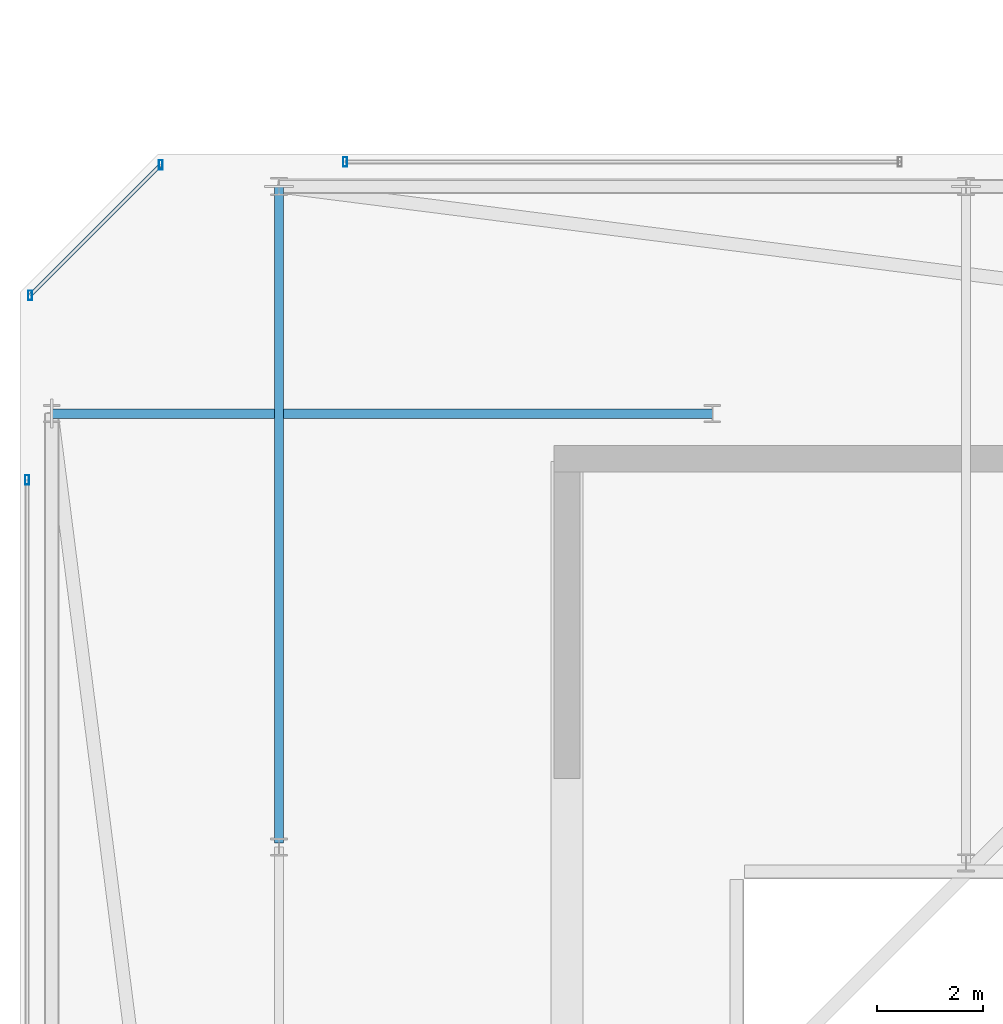
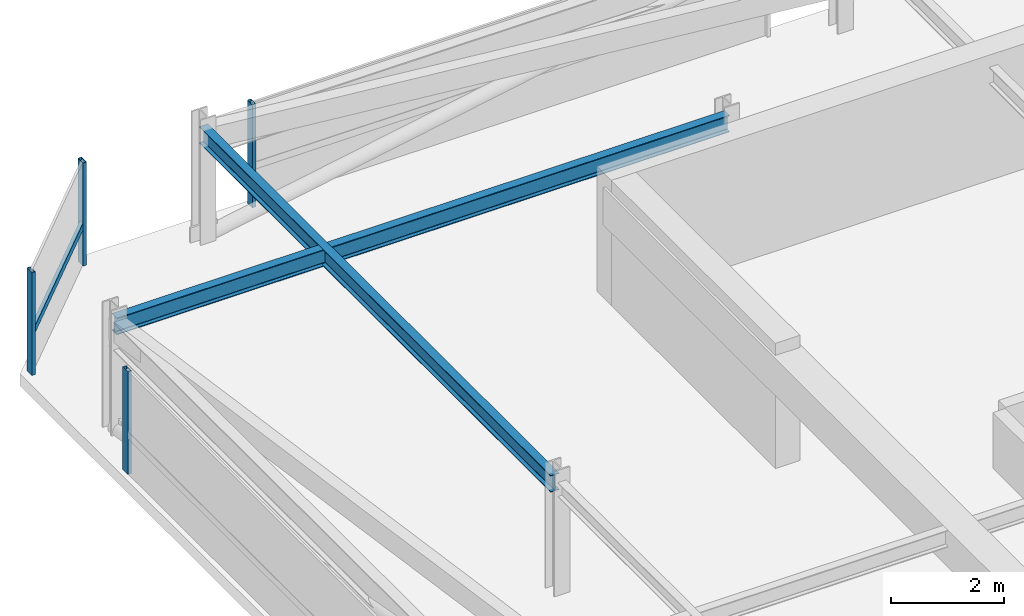
# One storey, part 22 of 42: 5 members, 2 beams, 3 elements without a shape of their own.
"""IFC4 building model written with IfcOpenShell, lengths in metres."""

from ifc_helpers import new_model, si_unit, direction, frame, origin, origin_2d, place, context, subcontext, project, spatial, hollow_rectangle, i_section, extrude, material, material_profile, profile_set, type_object, element, aggregate, save


model = new_model("IFC4")

# Units and contexts
model_context = context("Model", 3, precision=1e-05, world=origin(), true_north=direction((0.0, 1.0)))
body_context = subcontext(model_context, "Body", "Model", "MODEL_VIEW")
ifc_project = project(units=[si_unit("LENGTHUNIT", "METRE"), si_unit("AREAUNIT", "SQUARE_METRE"), si_unit("VOLUMEUNIT", "CUBIC_METRE"), si_unit("PLANEANGLEUNIT", "RADIAN"), si_unit("MASSUNIT", "GRAM", prefix="KILO")], contexts=[model_context])

# Site, building, storey
site_placement = place(None, origin())
site = spatial("IfcSite", under=ifc_project, at=site_placement, CompositionType="ELEMENT")
building_placement = place(site_placement, origin())
building = spatial("IfcBuilding", under=site, at=building_placement, Name="Thornwick Lancets Civic Towers", CompositionType="ELEMENT")
storey_placement = place(building_placement, frame((0.0, 0.0, 289.5)))
storey = spatial("IfcBuildingStorey", under=building, at=storey_placement, Name="C04", CompositionType="ELEMENT", Elevation=289.5)

# Beams
ifc_material_1 = material(Name="Steel S355JR", Category="steel")
ifc_material_profile_1 = material_profile(ifc_material_1, i_section(OverallWidth=0.173095703125, OverallDepth=0.36328125, WebThickness=0.009033203125, FlangeThickness=0.015625, FilletRadius=0.01025390625, at=origin_2d()), Name="UKB 356x171x67")
ifc_profile_set_1 = profile_set([ifc_material_profile_1], Name="Steel S355JR")
beam_type = type_object("IfcBeamType", Name="BM_JOIST_356_67", PredefinedType="JOIST", material=ifc_profile_set_1)
beam_1_placement = place(storey_placement, frame((12.5, 31.8798828125, 2.25830078125), z_axis=(0.0, 1.0, 0.0), x_axis=(-1.0, 0.0, 0.0)))
element("IfcBeam", 1, at=beam_1_placement, inside=storey, type_object=beam_type, Name="BM-RADIN-C04-A07", PredefinedType="JOIST", context=body_context, shape_type="SweptSolid", body=[
    extrude(i_section(OverallWidth=0.173095703125, OverallDepth=0.36328125, WebThickness=0.009033203125, FlangeThickness=0.015625, FilletRadius=0.01025390625, at=origin_2d()), origin(), (0.0, 0.0, 1.0), 12.420166015625),
])
beam_2_placement = place(storey_placement, frame((20.699951171875, 40.0, 2.25830078125), z_axis=(-1.0, 0.0, 0.0), x_axis=(0.0, -1.0, 0.0)))
element("IfcBeam", 2, at=beam_2_placement, inside=storey, type_object=beam_type, Name="BM-RADIN-C04-A12", PredefinedType="JOIST", context=body_context, shape_type="SweptSolid", body=[
    extrude(i_section(OverallWidth=0.173095703125, OverallDepth=0.36328125, WebThickness=0.009033203125, FlangeThickness=0.015625, FilletRadius=0.01025390625, at=origin_2d()), origin(), (0.0, 0.0, 1.0), 12.5),
])

# Curtain wall, member
ifc_material_2 = material(Name="Crown ring acoustic-louvre and glazing screen wall", Category="glass")
curtain_wall_type = type_object("IfcCurtainWallType", Name="CW_SYS_07", PredefinedType="NOTDEFINED", material=ifc_material_2)
curtain_wall_1_placement = place(storey_placement, origin())
curtain_wall_1 = element("IfcCurtainWall", 3, at=curtain_wall_1_placement, inside=storey, type_object=curtain_wall_type, Name="C04 Curtain Wall CW-C04-A-E4-S3", PredefinedType="NOTDEFINED")
ifc_material_3 = material(Name="Thermally broken bronze aluminium S355", Category="steel")
ifc_material_profile_2 = material_profile(ifc_material_3, hollow_rectangle(XDim=0.074951171875, YDim=0.179931640625, WallThickness=0.006103515625, at=origin_2d()), Name="RHS 180x75x6")
ifc_profile_set_2 = profile_set([ifc_material_profile_2], Name="Thermally broken bronze aluminium S355")
member_type_1 = type_object("IfcMemberType", Name="CW_MUL_180", PredefinedType="MULLION", material=ifc_profile_set_2)
member_1_placement = place(storey_placement, frame((13.75, 44.7646484375, 0.0), z_axis=(0.0, 0.0, 1.0), x_axis=(1.0, 0.0, 0.0)))
member_1 = element("IfcMember", 4, at=member_1_placement, type_object=member_type_1, Name="CW-C04-A-E4-S3 Mullion 1", PredefinedType="MULLION", context=body_context, shape_type="SweptSolid", body=[
    extrude(hollow_rectangle(XDim=0.074951171875, YDim=0.179931640625, WallThickness=0.006103515625, at=origin_2d()), origin(), (0.0, 0.0, 1.0), 2.219970703125),
])
aggregate(curtain_wall_1, [member_1])

# Curtain wall, members
curtain_wall_2_placement = place(storey_placement, origin())
curtain_wall_2 = element("IfcCurtainWall", 5, at=curtain_wall_2_placement, inside=storey, type_object=curtain_wall_type, Name="C04 Curtain Wall CW-C04-A-E5", PredefinedType="NOTDEFINED")
member_2_placement = place(storey_placement, frame((10.261962890625, 44.7080078125, 0.0), z_axis=(0.0, 0.0, 1.0), x_axis=(1.0, 0.0, 0.0)))
member_2 = element("IfcMember", 6, at=member_2_placement, type_object=member_type_1, Name="CW-C04-A-E5 Mullion 0", PredefinedType="MULLION", context=body_context, shape_type="SweptSolid", body=[
    extrude(hollow_rectangle(XDim=0.074951171875, YDim=0.179931640625, WallThickness=0.006103515625, at=origin_2d()), origin(), (0.0, 0.0, 1.0), 2.219970703125),
])
member_3_placement = place(storey_placement, frame((7.7919921875, 42.238037109375, 0.0), z_axis=(0.0, 0.0, 1.0), x_axis=(1.0, 0.0, 0.0)))
member_3 = element("IfcMember", 7, at=member_3_placement, type_object=member_type_1, Name="CW-C04-A-E5 Mullion 1", PredefinedType="MULLION", context=body_context, shape_type="SweptSolid", body=[
    extrude(hollow_rectangle(XDim=0.074951171875, YDim=0.179931640625, WallThickness=0.006103515625, at=origin_2d()), origin(), (0.0, 0.0, 1.0), 2.219970703125),
])

# Curtain wall, member
curtain_wall_3_placement = place(storey_placement, origin())
curtain_wall_3 = element("IfcCurtainWall", 8, at=curtain_wall_3_placement, inside=storey, type_object=curtain_wall_type, Name="C04 Curtain Wall CW-C04-A-E6-S1", PredefinedType="NOTDEFINED")
member_4_placement = place(storey_placement, frame((7.7353515625, 38.75, 0.0), z_axis=(0.0, 0.0, 1.0), x_axis=(1.0, 0.0, 0.0)))
member_4 = element("IfcMember", 9, at=member_4_placement, type_object=member_type_1, Name="CW-C04-A-E6-S1 Mullion 0", PredefinedType="MULLION", context=body_context, shape_type="SweptSolid", body=[
    extrude(hollow_rectangle(XDim=0.074951171875, YDim=0.179931640625, WallThickness=0.006103515625, at=origin_2d()), origin(), (0.0, 0.0, 1.0), 2.219970703125),
])
aggregate(curtain_wall_3, [member_4])

# Member
ifc_material_profile_3 = material_profile(ifc_material_3, hollow_rectangle(XDim=0.074951171875, YDim=0.14990234375, WallThickness=0.0048828125, at=origin_2d()), Name="RHS 150x75x5")
ifc_profile_set_3 = profile_set([ifc_material_profile_3], Name="Thermally broken bronze aluminium S355")
member_type_2 = type_object("IfcMemberType", Name="CW_TRN_150", PredefinedType="USERDEFINED", material=ifc_profile_set_3)
member_5_placement = place(storey_placement, frame((10.247802734375, 44.69384765625, 0.85009765625), z_axis=(-0.707106781187, -0.707106781187, 0.0), x_axis=(0.707106781187, -0.707106781187, 0.0)))
member_5 = element("IfcMember", 10, at=member_5_placement, type_object=member_type_2, Name="CW-C04-A-E5 Transom 0", ObjectType="TRANSOM", PredefinedType="USERDEFINED", context=body_context, shape_type="SweptSolid", body=[
    extrude(hollow_rectangle(XDim=0.074951171875, YDim=0.14990234375, WallThickness=0.0048828125, at=origin_2d()), origin(), (0.0, 0.0, 1.0), 3.453125),
])

aggregate(curtain_wall_2, [member_2, member_3, member_5])

save(model, "model.ifc")
